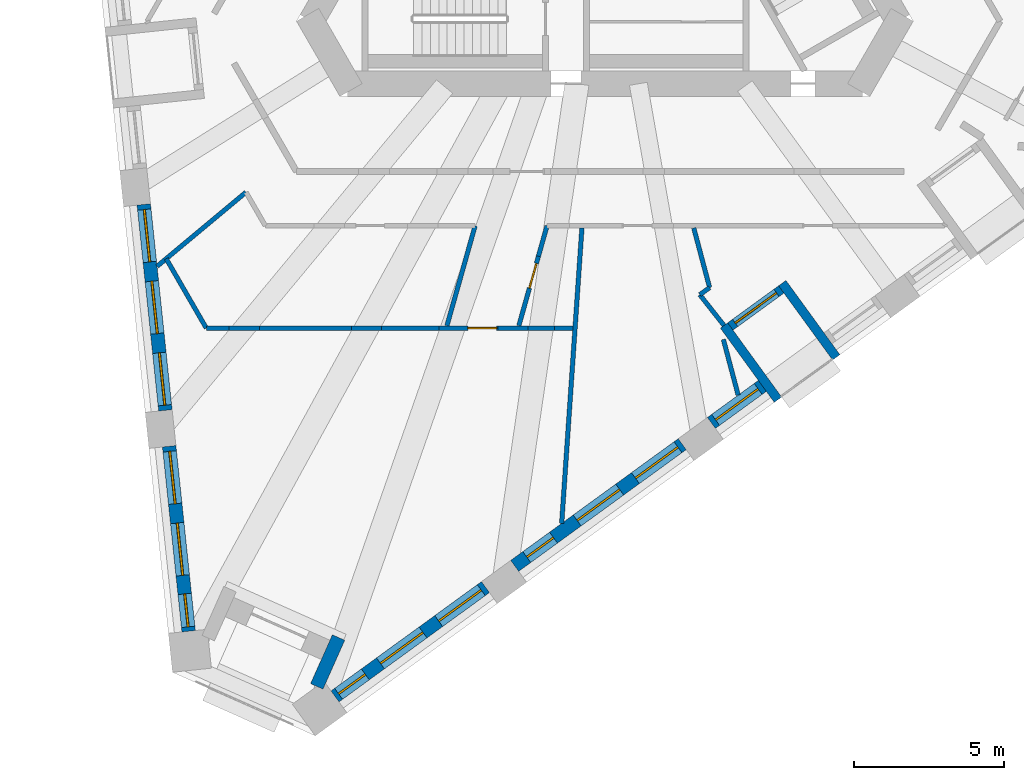
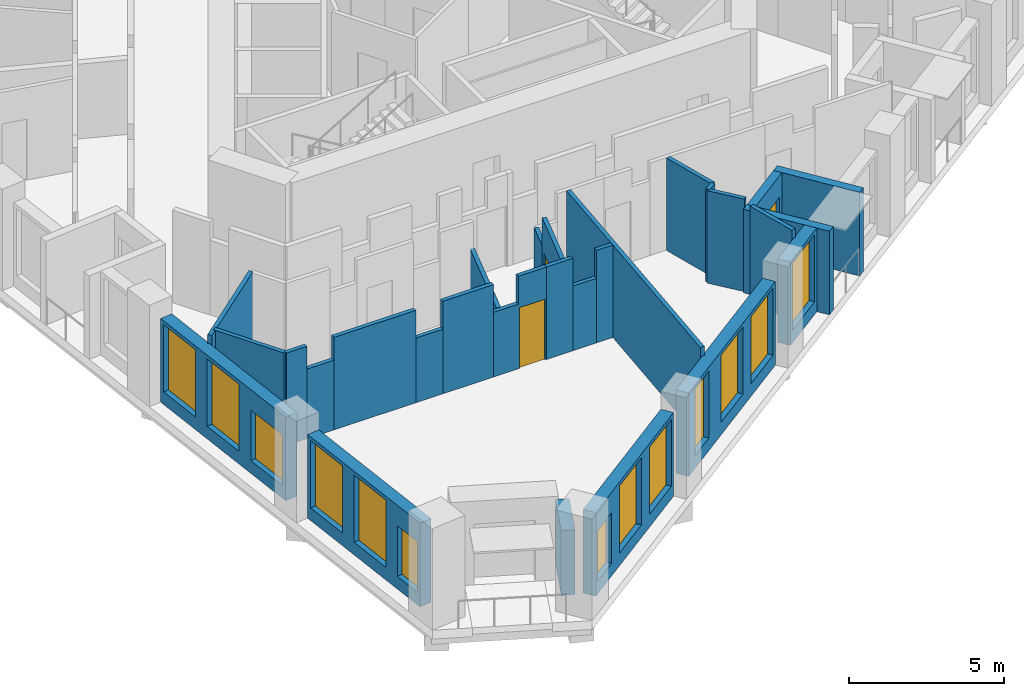
# One storey, part 2 of 14: 28 walls, 13 windows, 3 doors, 16 openings.
"""IFC4 building model written with IfcOpenShell, lengths in metres."""

from ifc_helpers import new_model, si_unit, direction, frame, frame_2d, origin, place, context, subcontext, project, spatial, polyline, rectangle, outline, extrude, material, layer, layer_set, type_object, element, fill, save


model = new_model("IFC4")

# Units and contexts
model_context = context("Model", 3, precision=1e-05, world=origin(), true_north=direction((0.0, 1.0)))
body_context = subcontext(model_context, "Body", "Model", "MODEL_VIEW")
ifc_project = project(units=[si_unit("LENGTHUNIT", "METRE"), si_unit("AREAUNIT", "SQUARE_METRE"), si_unit("VOLUMEUNIT", "CUBIC_METRE"), si_unit("PLANEANGLEUNIT", "RADIAN"), si_unit("MASSUNIT", "GRAM", prefix="KILO")], contexts=[model_context])

# Site, building, storey
site_placement = place(None, origin())
site = spatial("IfcSite", under=ifc_project, at=site_placement, CompositionType="ELEMENT")
building_placement = place(site_placement, origin())
building = spatial("IfcBuilding", under=site, at=building_placement, Name="Tramontana Tower", CompositionType="ELEMENT")
storey_placement = place(building_placement, frame((0.0, 0.0, 186.800048828125)))
storey = spatial("IfcBuildingStorey", under=building, at=storey_placement, Name="L43", CompositionType="ELEMENT", Elevation=186.800048828125)

# Wall, openings, windows
ifc_material_1 = material(Name="Precast concrete 60 MPa", Category="concrete")
ifc_layer_1 = layer(ifc_material_1, 0.449951171875)
ifc_layer_set_1 = layer_set([ifc_layer_1], Name="Precast concrete 60 MPa, 450 mm")
wall_type_1 = type_object("IfcWallType", Name="EW1 Stone-faced precast wall 450", PredefinedType="SOLIDWALL", material=ifc_layer_set_1)
wall_1_placement = place(storey_placement, frame((-15.327880859375, -10.341796875, 0.0), z_axis=(0.0, 0.0, 1.0), x_axis=(0.104531531326, -0.994521572898, 0.0)))
wall_1 = element("IfcWall", 1, at=wall_1_placement, inside=storey, type_object=wall_type_1, Name="External wall L43 face 0 bay 5", PredefinedType="SOLIDWALL", context=body_context, shape_type="SweptSolid", body=[
    extrude(rectangle(XDim=6.8828125, YDim=0.449951171875, at=frame_2d((3.44140625, 0.0))), origin(), (0.0, 0.0, 1.0), 3.300048828125),
])
opening_1_placement = place(wall_1_placement, frame((0.172119140625, 0.0, 0.5)))
opening_1 = element("IfcOpeningElement", 2, at=opening_1_placement, cuts=wall_1, Name="Opening M2", PredefinedType="OPENING", context=body_context, shape_type="SweptSolid", body=[
    extrude(rectangle(XDim=1.75, YDim=2.64990234375, at=frame_2d((0.875, 1.324951171875))), frame((0.0, 0.23486328125, 0.0), z_axis=(0.0, -1.0, 0.0), x_axis=(1.0, 0.0, 0.0)), (0.0, 0.0, 1.0), 0.469970703125),
])
opening_2_placement = place(wall_1_placement, frame((2.56640625, 0.0, 0.5)))
opening_2 = element("IfcOpeningElement", 3, at=opening_2_placement, cuts=wall_1, Name="Opening M2", PredefinedType="OPENING", context=body_context, shape_type="SweptSolid", body=[
    extrude(rectangle(XDim=1.75, YDim=2.64990234375, at=frame_2d((0.875, 1.324951171875))), frame((0.0, 0.23486328125, 0.0), z_axis=(0.0, -1.0, 0.0), x_axis=(1.0, 0.0, 0.0)), (0.0, 0.0, 1.0), 0.469970703125),
])
opening_3_placement = place(wall_1_placement, frame((4.960693359375, 0.0, 0.5)))
opening_3 = element("IfcOpeningElement", 4, at=opening_3_placement, cuts=wall_1, Name="Opening M2L", PredefinedType="OPENING", context=body_context, shape_type="SweptSolid", body=[
    extrude(rectangle(XDim=1.75, YDim=2.0, at=frame_2d((0.875, 1.0))), frame((0.0, 0.23486328125, 0.0), z_axis=(0.0, -1.0, 0.0), x_axis=(1.0, 0.0, 0.0)), (0.0, 0.0, 1.0), 0.469970703125),
])
ifc_material_2 = material(Name="Aluminum frame, double glazing unit", Category="aluminium")
window_type_1 = type_object("IfcWindowType", Name="M2 Window 1.75 x 2.65", PartitioningType="SINGLE_PANEL", PredefinedType="WINDOW", material=ifc_material_2)
window_1_placement = place(opening_1_placement, origin())
window_1 = element("IfcWindow", 5, at=window_1_placement, inside=storey, type_object=window_type_1, Name="Window M2 L43 face 0 module 13", OverallHeight=2.64990234375, OverallWidth=1.75, PartitioningType="SINGLE_PANEL", PredefinedType="WINDOW", context=body_context, shape_type="SweptSolid", body=[
    extrude(rectangle(XDim=1.75, YDim=2.64990234375, at=frame_2d((0.875, 1.324951171875))), frame((0.0, 0.030029296875, 0.0), z_axis=(0.0, -1.0, 0.0), x_axis=(1.0, 0.0, 0.0)), (0.0, 0.0, 1.0), 0.06005859375),
])
fill(opening_1, window_1)
window_2_placement = place(opening_2_placement, origin())
window_2 = element("IfcWindow", 6, at=window_2_placement, inside=storey, type_object=window_type_1, Name="Window M2 L43 face 0 module 14", OverallHeight=2.64990234375, OverallWidth=1.75, PartitioningType="SINGLE_PANEL", PredefinedType="WINDOW", context=body_context, shape_type="SweptSolid", body=[
    extrude(rectangle(XDim=1.75, YDim=2.64990234375, at=frame_2d((0.875, 1.324951171875))), frame((0.0, 0.030029296875, 0.0), z_axis=(0.0, -1.0, 0.0), x_axis=(1.0, 0.0, 0.0)), (0.0, 0.0, 1.0), 0.06005859375),
])
fill(opening_2, window_2)
ifc_material_3 = material(Name="Aluminum frame, double glazing unit", Category="aluminium")
window_type_2 = type_object("IfcWindowType", Name="M2L Window 1.75 x 2", PartitioningType="SINGLE_PANEL", PredefinedType="WINDOW", material=ifc_material_3)
window_3_placement = place(opening_3_placement, origin())
window_3 = element("IfcWindow", 7, at=window_3_placement, inside=storey, type_object=window_type_2, Name="Window M2L L43 face 0 module 15", OverallHeight=2.0, OverallWidth=1.75, PartitioningType="SINGLE_PANEL", PredefinedType="WINDOW", context=body_context, shape_type="SweptSolid", body=[
    extrude(rectangle(XDim=1.75, YDim=2.0, at=frame_2d((0.875, 1.0))), frame((0.0, 0.030029296875, 0.0), z_axis=(0.0, -1.0, 0.0), x_axis=(1.0, 0.0, 0.0)), (0.0, 0.0, 1.0), 0.06005859375),
])
fill(opening_3, window_3)

wall_2_placement = place(storey_placement, frame((-14.483154296875, -18.38037109375, 0.0), z_axis=(0.0, 0.0, 1.0), x_axis=(0.104557348575, -0.994518858976, 0.0)))
wall_2 = element("IfcWall", 8, at=wall_2_placement, inside=storey, type_object=wall_type_1, Name="External wall L43 face 0 bay 6", PredefinedType="SOLIDWALL", context=body_context, shape_type="SweptSolid", body=[
    extrude(rectangle(XDim=6.18310546875, YDim=0.449951171875, at=frame_2d((3.091552734375, 0.0))), origin(), (0.0, 0.0, 1.0), 3.300048828125),
])
opening_4_placement = place(wall_2_placement, frame((0.172119140625, 0.0, 0.5)))
opening_4 = element("IfcOpeningElement", 9, at=opening_4_placement, cuts=wall_2, Name="Opening M2", PredefinedType="OPENING", context=body_context, shape_type="SweptSolid", body=[
    extrude(rectangle(XDim=1.75, YDim=2.64990234375, at=frame_2d((0.875, 1.324951171875))), frame((0.0, 0.23486328125, 0.0), z_axis=(0.0, -1.0, 0.0), x_axis=(1.0, 0.0, 0.0)), (0.0, 0.0, 1.0), 0.469970703125),
])
opening_5_placement = place(wall_2_placement, frame((2.56640625, 0.0, 0.5)))
opening_5 = element("IfcOpeningElement", 10, at=opening_5_placement, cuts=wall_2, Name="Opening M2", PredefinedType="OPENING", context=body_context, shape_type="SweptSolid", body=[
    extrude(rectangle(XDim=1.75, YDim=2.64990234375, at=frame_2d((0.875, 1.324951171875))), frame((0.0, 0.23486328125, 0.0), z_axis=(0.0, -1.0, 0.0), x_axis=(1.0, 0.0, 0.0)), (0.0, 0.0, 1.0), 0.469970703125),
])
opening_6_placement = place(wall_2_placement, frame((4.935791015625, 0.0, 0.5)))
opening_6 = element("IfcOpeningElement", 11, at=opening_6_placement, cuts=wall_2, Name="Opening N2L", PredefinedType="OPENING", context=body_context, shape_type="SweptSolid", body=[
    extrude(rectangle(XDim=1.10009765625, YDim=2.0, at=frame_2d((0.550048828125, 1.0))), frame((0.0, 0.23486328125, 0.0), z_axis=(0.0, -1.0, 0.0), x_axis=(1.0, 0.0, 0.0)), (0.0, 0.0, 1.0), 0.469970703125),
])
window_4_placement = place(opening_4_placement, origin())
window_4 = element("IfcWindow", 12, at=window_4_placement, inside=storey, type_object=window_type_1, Name="Window M2 L43 face 0 module 16", OverallHeight=2.64990234375, OverallWidth=1.75, PartitioningType="SINGLE_PANEL", PredefinedType="WINDOW", context=body_context, shape_type="SweptSolid", body=[
    extrude(rectangle(XDim=1.75, YDim=2.64990234375, at=frame_2d((0.875, 1.324951171875))), frame((0.0, 0.030029296875, 0.0), z_axis=(0.0, -1.0, 0.0), x_axis=(1.0, 0.0, 0.0)), (0.0, 0.0, 1.0), 0.06005859375),
])
fill(opening_4, window_4)
window_5_placement = place(opening_5_placement, origin())
window_5 = element("IfcWindow", 13, at=window_5_placement, inside=storey, type_object=window_type_1, Name="Window M2 L43 face 0 module 17", OverallHeight=2.64990234375, OverallWidth=1.75, PartitioningType="SINGLE_PANEL", PredefinedType="WINDOW", context=body_context, shape_type="SweptSolid", body=[
    extrude(rectangle(XDim=1.75, YDim=2.64990234375, at=frame_2d((0.875, 1.324951171875))), frame((0.0, 0.030029296875, 0.0), z_axis=(0.0, -1.0, 0.0), x_axis=(1.0, 0.0, 0.0)), (0.0, 0.0, 1.0), 0.06005859375),
])
fill(opening_5, window_5)
ifc_material_4 = material(Name="Aluminum frame, double glazing unit", Category="aluminium")
window_type_3 = type_object("IfcWindowType", Name="N2L Window 1.1 x 2", PartitioningType="SINGLE_PANEL", PredefinedType="WINDOW", material=ifc_material_4)
window_6_placement = place(opening_6_placement, origin())
window_6 = element("IfcWindow", 14, at=window_6_placement, inside=storey, type_object=window_type_3, Name="Window N2L L43 face 0 module 18", OverallHeight=2.0, OverallWidth=1.10009765625, PartitioningType="SINGLE_PANEL", PredefinedType="WINDOW", context=body_context, shape_type="SweptSolid", body=[
    extrude(rectangle(XDim=1.10009765625, YDim=2.0, at=frame_2d((0.550048828125, 1.0))), frame((0.0, 0.030029296875, 0.0), z_axis=(0.0, -1.0, 0.0), x_axis=(1.0, 0.0, 0.0)), (0.0, 0.0, 1.0), 0.06005859375),
])
fill(opening_6, window_6)

wall_3_placement = place(storey_placement, frame((-8.97021484375, -26.696044921875, 0.0), z_axis=(0.0, 0.0, 1.0), x_axis=(0.809024567544, 0.587774828578, 0.0)))
wall_3 = element("IfcWall", 15, at=wall_3_placement, inside=storey, type_object=wall_type_1, Name="External wall L43 face 1 bay 1", PredefinedType="SOLIDWALL", context=body_context, shape_type="SweptSolid", body=[
    extrude(rectangle(XDim=6.1826171875, YDim=0.449951171875, at=frame_2d((3.09130859375, 0.0))), origin(), (0.0, 0.0, 1.0), 3.300048828125),
])
opening_7_placement = place(wall_3_placement, frame((0.147216796875, 0.0, 0.5)))
opening_7 = element("IfcOpeningElement", 16, at=opening_7_placement, cuts=wall_3, Name="Opening N2L", PredefinedType="OPENING", context=body_context, shape_type="SweptSolid", body=[
    extrude(rectangle(XDim=1.10009765625, YDim=2.0, at=frame_2d((0.550048828125, 1.0))), frame((0.0, 0.23486328125, 0.0), z_axis=(0.0, -1.0, 0.0), x_axis=(1.0, 0.0, 0.0)), (0.0, 0.0, 1.0), 0.469970703125),
])
opening_8_placement = place(wall_3_placement, frame((1.866455078125, 0.0, 0.5)))
opening_8 = element("IfcOpeningElement", 17, at=opening_8_placement, cuts=wall_3, Name="Opening M2", PredefinedType="OPENING", context=body_context, shape_type="SweptSolid", body=[
    extrude(rectangle(XDim=1.75, YDim=2.64990234375, at=frame_2d((0.875, 1.324951171875))), frame((0.0, 0.23486328125, 0.0), z_axis=(0.0, -1.0, 0.0), x_axis=(1.0, 0.0, 0.0)), (0.0, 0.0, 1.0), 0.469970703125),
])
opening_9_placement = place(wall_3_placement, frame((4.2607421875, 0.0, 0.5)))
opening_9 = element("IfcOpeningElement", 18, at=opening_9_placement, cuts=wall_3, Name="Opening M2", PredefinedType="OPENING", context=body_context, shape_type="SweptSolid", body=[
    extrude(rectangle(XDim=1.75, YDim=2.64990234375, at=frame_2d((0.875, 1.324951171875))), frame((0.0, 0.23486328125, 0.0), z_axis=(0.0, -1.0, 0.0), x_axis=(1.0, 0.0, 0.0)), (0.0, 0.0, 1.0), 0.469970703125),
])
window_7_placement = place(opening_8_placement, origin())
window_7 = element("IfcWindow", 19, at=window_7_placement, inside=storey, type_object=window_type_1, Name="Window M2 L43 face 1 module 2", OverallHeight=2.64990234375, OverallWidth=1.75, PartitioningType="SINGLE_PANEL", PredefinedType="WINDOW", context=body_context, shape_type="SweptSolid", body=[
    extrude(rectangle(XDim=1.75, YDim=2.64990234375, at=frame_2d((0.875, 1.324951171875))), frame((0.0, 0.030029296875, 0.0), z_axis=(0.0, -1.0, 0.0), x_axis=(1.0, 0.0, 0.0)), (0.0, 0.0, 1.0), 0.06005859375),
])
fill(opening_8, window_7)
window_8_placement = place(opening_9_placement, origin())
window_8 = element("IfcWindow", 20, at=window_8_placement, inside=storey, type_object=window_type_1, Name="Window M2 L43 face 1 module 3", OverallHeight=2.64990234375, OverallWidth=1.75, PartitioningType="SINGLE_PANEL", PredefinedType="WINDOW", context=body_context, shape_type="SweptSolid", body=[
    extrude(rectangle(XDim=1.75, YDim=2.64990234375, at=frame_2d((0.875, 1.324951171875))), frame((0.0, 0.030029296875, 0.0), z_axis=(0.0, -1.0, 0.0), x_axis=(1.0, 0.0, 0.0)), (0.0, 0.0, 1.0), 0.06005859375),
])
fill(opening_9, window_8)
window_9_placement = place(opening_7_placement, origin())
window_9 = element("IfcWindow", 21, at=window_9_placement, inside=storey, type_object=window_type_3, Name="Window N2L L43 face 1 module 1", OverallHeight=2.0, OverallWidth=1.10009765625, PartitioningType="SINGLE_PANEL", PredefinedType="WINDOW", context=body_context, shape_type="SweptSolid", body=[
    extrude(rectangle(XDim=1.10009765625, YDim=2.0, at=frame_2d((0.550048828125, 1.0))), frame((0.0, 0.030029296875, 0.0), z_axis=(0.0, -1.0, 0.0), x_axis=(1.0, 0.0, 0.0)), (0.0, 0.0, 1.0), 0.06005859375),
])
fill(opening_7, window_9)

wall_4_placement = place(storey_placement, frame((-2.997314453125, -22.3564453125, 0.0), z_axis=(0.0, 0.0, 1.0), x_axis=(0.809016690404, 0.587785670672, 0.0)))
wall_4 = element("IfcWall", 22, at=wall_4_placement, inside=storey, type_object=wall_type_1, Name="External wall L43 face 1 bay 2", PredefinedType="SOLIDWALL", context=body_context, shape_type="SweptSolid", body=[
    extrude(rectangle(XDim=6.8828125, YDim=0.449951171875, at=frame_2d((3.44140625, 0.0))), origin(), (0.0, 0.0, 1.0), 3.300048828125),
])
opening_10_placement = place(wall_4_placement, frame((0.4970703125, 0.0, 0.5)))
opening_10 = element("IfcOpeningElement", 23, at=opening_10_placement, cuts=wall_4, Name="Opening N2", PredefinedType="OPENING", context=body_context, shape_type="SweptSolid", body=[
    extrude(rectangle(XDim=1.10009765625, YDim=2.64990234375, at=frame_2d((0.550048828125, 1.324951171875))), frame((0.0, 0.23486328125, 0.0), z_axis=(0.0, -1.0, 0.0), x_axis=(1.0, 0.0, 0.0)), (0.0, 0.0, 1.0), 0.469970703125),
])
opening_11_placement = place(wall_4_placement, frame((2.56640625, 0.0, 0.5)))
opening_11 = element("IfcOpeningElement", 24, at=opening_11_placement, cuts=wall_4, Name="Opening M2", PredefinedType="OPENING", context=body_context, shape_type="SweptSolid", body=[
    extrude(rectangle(XDim=1.75, YDim=2.64990234375, at=frame_2d((0.875, 1.324951171875))), frame((0.0, 0.23486328125, 0.0), z_axis=(0.0, -1.0, 0.0), x_axis=(1.0, 0.0, 0.0)), (0.0, 0.0, 1.0), 0.469970703125),
])
opening_12_placement = place(wall_4_placement, frame((4.960693359375, 0.0, 0.5)))
opening_12 = element("IfcOpeningElement", 25, at=opening_12_placement, cuts=wall_4, Name="Opening M2", PredefinedType="OPENING", context=body_context, shape_type="SweptSolid", body=[
    extrude(rectangle(XDim=1.75, YDim=2.64990234375, at=frame_2d((0.875, 1.324951171875))), frame((0.0, 0.23486328125, 0.0), z_axis=(0.0, -1.0, 0.0), x_axis=(1.0, 0.0, 0.0)), (0.0, 0.0, 1.0), 0.469970703125),
])
window_10_placement = place(opening_11_placement, origin())
window_10 = element("IfcWindow", 26, at=window_10_placement, inside=storey, type_object=window_type_1, Name="Window M2 L43 face 1 module 5", OverallHeight=2.64990234375, OverallWidth=1.75, PartitioningType="SINGLE_PANEL", PredefinedType="WINDOW", context=body_context, shape_type="SweptSolid", body=[
    extrude(rectangle(XDim=1.75, YDim=2.64990234375, at=frame_2d((0.875, 1.324951171875))), frame((0.0, 0.030029296875, 0.0), z_axis=(0.0, -1.0, 0.0), x_axis=(1.0, 0.0, 0.0)), (0.0, 0.0, 1.0), 0.06005859375),
])
fill(opening_11, window_10)
window_11_placement = place(opening_12_placement, origin())
window_11 = element("IfcWindow", 27, at=window_11_placement, inside=storey, type_object=window_type_1, Name="Window M2 L43 face 1 module 6", OverallHeight=2.64990234375, OverallWidth=1.75, PartitioningType="SINGLE_PANEL", PredefinedType="WINDOW", context=body_context, shape_type="SweptSolid", body=[
    extrude(rectangle(XDim=1.75, YDim=2.64990234375, at=frame_2d((0.875, 1.324951171875))), frame((0.0, 0.030029296875, 0.0), z_axis=(0.0, -1.0, 0.0), x_axis=(1.0, 0.0, 0.0)), (0.0, 0.0, 1.0), 0.06005859375),
])
fill(opening_12, window_11)
ifc_material_5 = material(Name="Aluminum frame, double glazing unit", Category="aluminium")
window_type_4 = type_object("IfcWindowType", Name="N2 Window 1.1 x 2.65", PartitioningType="SINGLE_PANEL", PredefinedType="WINDOW", material=ifc_material_5)
window_12_placement = place(opening_10_placement, origin())
window_12 = element("IfcWindow", 28, at=window_12_placement, inside=storey, type_object=window_type_4, Name="Window N2 L43 face 1 module 4", OverallHeight=2.64990234375, OverallWidth=1.10009765625, PartitioningType="SINGLE_PANEL", PredefinedType="WINDOW", context=body_context, shape_type="SweptSolid", body=[
    extrude(rectangle(XDim=1.10009765625, YDim=2.64990234375, at=frame_2d((0.550048828125, 1.324951171875))), frame((0.0, 0.030029296875, 0.0), z_axis=(0.0, -1.0, 0.0), x_axis=(1.0, 0.0, 0.0)), (0.0, 0.0, 1.0), 0.06005859375),
])
fill(opening_10, window_12)

# Wall, opening, window
wall_5_placement = place(storey_placement, frame((3.541748046875, -17.60546875, 0.0), z_axis=(0.0, 0.0, 1.0), x_axis=(0.809028366311, 0.587769599847, 0.0)))
wall_5 = element("IfcWall", 29, at=wall_5_placement, inside=storey, type_object=wall_type_1, Name="External wall L43 face 1 bay 3", PredefinedType="SOLIDWALL", context=body_context, shape_type="SweptSolid", body=[
    extrude(rectangle(XDim=2.09423828125, YDim=0.449951171875, at=frame_2d((1.047119140625, 0.0))), origin(), (0.0, 0.0, 1.0), 3.300048828125),
])
opening_13_placement = place(wall_5_placement, frame((0.172119140625, 0.0, 0.5)))
opening_13 = element("IfcOpeningElement", 30, at=opening_13_placement, cuts=wall_5, Name="Opening M2", PredefinedType="OPENING", context=body_context, shape_type="SweptSolid", body=[
    extrude(rectangle(XDim=1.75, YDim=2.64990234375, at=frame_2d((0.875, 1.324951171875))), frame((0.0, 0.23486328125, 0.0), z_axis=(0.0, -1.0, 0.0), x_axis=(1.0, 0.0, 0.0)), (0.0, 0.0, 1.0), 0.469970703125),
])
window_13_placement = place(opening_13_placement, origin())
window_13 = element("IfcWindow", 31, at=window_13_placement, inside=storey, type_object=window_type_1, Name="Window M2 L43 face 1 module 7", OverallHeight=2.64990234375, OverallWidth=1.75, PartitioningType="SINGLE_PANEL", PredefinedType="WINDOW", context=body_context, shape_type="SweptSolid", body=[
    extrude(rectangle(XDim=1.75, YDim=2.64990234375, at=frame_2d((0.875, 1.324951171875))), frame((0.0, 0.030029296875, 0.0), z_axis=(0.0, -1.0, 0.0), x_axis=(1.0, 0.0, 0.0)), (0.0, 0.0, 1.0), 0.06005859375),
])
fill(opening_13, window_13)

# Wall
wall_6_placement = place(storey_placement, frame((-9.575927734375, -26.363525390625, 0.0), z_axis=(0.0, 0.0, 1.0), x_axis=(0.406749543613, 0.913539713844, 0.0)))
element("IfcWall", 32, at=wall_6_placement, inside=storey, type_object=wall_type_1, Name="Corner loggia side wall L43 K41l", PredefinedType="SOLIDWALL", context=body_context, shape_type="SweptSolid", body=[
    extrude(rectangle(XDim=1.779052734375, YDim=0.449951171875, at=frame_2d((0.8896484375, 0.0))), origin(), (0.0, 0.0, 1.0), 2.550048828125),
])

# Wall, opening, door
ifc_material_6 = material(Name="Precast concrete 60 MPa", Category="concrete")
ifc_layer_2 = layer(ifc_material_6, 0.300048828125)
ifc_layer_set_2 = layer_set([ifc_layer_2], Name="LW1 Stone-faced loggia wall 300")
wall_type_2 = type_object("IfcWallType", Name="LW1 Stone-faced loggia wall 300", PredefinedType="SOLIDWALL", material=ifc_layer_set_2)
wall_7_placement = place(storey_placement, frame((4.1708984375, -14.398193359375, 0.0), z_axis=(0.0, 0.0, 1.0), x_axis=(0.809028366311, 0.587769599847, 0.0)))
wall_7 = element("IfcWall", 33, at=wall_7_placement, inside=storey, type_object=wall_type_2, Name="Loggia wall L43 G4S1.7", PredefinedType="SOLIDWALL", context=body_context, shape_type="SweptSolid", body=[
    extrude(rectangle(XDim=2.09423828125, YDim=0.300048828125, at=frame_2d((1.047119140625, 0.0))), origin(), (0.0, 0.0, 1.0), 3.300048828125),
])
opening_14_placement = place(wall_7_placement, frame((0.197265625, 0.0, 0.0)))
opening_14 = element("IfcOpeningElement", 34, at=opening_14_placement, cuts=wall_7, Name="Opening BD-4S1-07", PredefinedType="OPENING", context=body_context, shape_type="SweptSolid", body=[
    extrude(rectangle(XDim=1.699951171875, YDim=2.449951171875, at=frame_2d((0.85009765625, 1.22509765625))), frame((0.0, 0.159912109375, 0.0), z_axis=(0.0, -1.0, 0.0), x_axis=(1.0, 0.0, 0.0)), (0.0, 0.0, 1.0), 0.320068359375),
])
ifc_material_7 = material(Name="Aluminum frame, double glazing unit", Category="aluminium")
door_type_1 = type_object("IfcDoorType", Name="BD2 Sliding door 1.7 x 2.45", OperationType="SLIDING_TO_LEFT", PredefinedType="DOOR", material=ifc_material_7)
door_1_placement = place(opening_14_placement, origin())
door_1 = element("IfcDoor", 35, at=door_1_placement, inside=storey, type_object=door_type_1, Name="Loggia door L43 G4S1.7", OperationType="SLIDING_TO_LEFT", OverallHeight=2.449951171875, OverallWidth=1.699951171875, PredefinedType="DOOR", context=body_context, shape_type="SweptSolid", body=[
    extrude(rectangle(XDim=1.699951171875, YDim=2.449951171875, at=frame_2d((0.85009765625, 1.22509765625))), frame((0.0, 0.02490234375, 0.0), z_axis=(0.0, -1.0, 0.0), x_axis=(1.0, 0.0, 0.0)), (0.0, 0.0, 1.0), 0.050048828125),
])
fill(opening_14, door_1)

# Walls
for number, where, z_axis, x_axis, name in (
    (36, (5.754150390625, -16.83251953125, 0.0), (0.0, 0.0, 1.0), (-0.587776590479, 0.80902328748, 0.0), "Loggia return L43 G4S1.7a"),
    (37, (7.691162109375, -15.425048828125, 0.0), (0.0, 0.0, 1.0), (-0.587776590479, 0.80902328748, 0.0), "Loggia return L43 G4S1.7b"),
):
    element("IfcWall", number, at=place(storey_placement, frame(where, z_axis=z_axis, x_axis=x_axis)), inside=storey, type_object=wall_type_2, Name=name, PredefinedType="SOLIDWALL", context=body_context, shape_type="SweptSolid", body=[
        extrude(rectangle(XDim=3.050048828125, YDim=0.300048828125, at=frame_2d((1.52490234375, 0.0))), origin(), (0.0, 0.0, 1.0), 3.300048828125),
    ])
ifc_material_8 = material(Name="Gypsum board partition")
ifc_layer_3 = layer(ifc_material_8, 0.14990234375)
ifc_layer_set_3 = layer_set([ifc_layer_3], Name="PARTITION 150")
wall_type_3 = type_object("IfcWallType", Name="PARTITION 150", PredefinedType="PARTITIONING", material=ifc_layer_set_3)
wall_8_placement = place(storey_placement, frame((-13.250244140625, -14.449951171875, 0.0), z_axis=(0.0, 0.0, 1.0), x_axis=(-0.500019109324, 0.86601437073, 0.0)))
element("IfcWall", 38, at=wall_8_placement, inside=storey, type_object=wall_type_3, Name="Wall v42-pw06", PredefinedType="PARTITIONING", context=body_context, shape_type="SweptSolid", body=[
    extrude(rectangle(XDim=2.65966796875, YDim=0.14990234375, at=frame_2d((1.329833984375, 0.0))), origin(), (0.0, 0.0, 1.0), 3.64990234375),
])
wall_9_placement = place(storey_placement, frame((-11.932861328125, -9.938720703125, 0.0), z_axis=(0.0, 0.0, 1.0), x_axis=(-0.768294174323, -0.640096915866, 0.0)))
element("IfcWall", 39, at=wall_9_placement, inside=storey, type_object=wall_type_3, Name="Wall v42-pw07", PredefinedType="PARTITIONING", context=body_context, shape_type="SweptSolid", body=[
    extrude(rectangle(XDim=3.843017578125, YDim=0.14990234375, at=frame_2d((1.92138671875, 0.0))), origin(), (0.0, 0.0, 1.0), 3.64990234375),
])
wall_10_placement = place(storey_placement, frame((-5.24951171875, -14.375, 0.0), z_axis=(0.0, 0.0, 1.0), x_axis=(0.271458484659, 0.962450149933, 0.0)))
element("IfcWall", 40, at=wall_10_placement, inside=storey, type_object=wall_type_3, Name="Wall v42-pw15-0", PredefinedType="PARTITIONING", context=body_context, shape_type="SweptSolid", body=[
    extrude(rectangle(XDim=3.450927734375, YDim=0.14990234375, at=frame_2d((1.7255859375, 0.0))), origin(), (0.0, 0.0, 1.0), 2.550048828125),
])
wall_11_placement = place(storey_placement, frame((-1.92236328125, -11.05224609375, 0.0), z_axis=(0.0, 0.0, 1.0), x_axis=(-0.271531823094, -0.962429461855, 0.0)))
element("IfcWall", 41, at=wall_11_placement, inside=storey, type_object=wall_type_3, Name="Wall v42-pw19-0", PredefinedType="PARTITIONING", context=body_context, shape_type="SweptSolid", body=[
    extrude(rectangle(XDim=1.052001953125, YDim=0.14990234375, at=frame_2d((0.52587890625, 0.0))), origin(), (0.0, 0.0, 1.0), 2.550048828125),
])

# Wall, opening, door
wall_12_placement = place(storey_placement, frame((-2.2080078125, -12.064697265625, 0.0), z_axis=(0.0, 0.0, 1.0), x_axis=(-0.271455333638, -0.962451038671, 0.0)))
wall_12 = element("IfcWall", 42, at=wall_12_placement, inside=storey, type_object=wall_type_3, Name="Wall v42-pw19-1", PredefinedType="PARTITIONING", context=body_context, shape_type="SweptSolid", body=[
    extrude(rectangle(XDim=2.400390625, YDim=0.14990234375, at=frame_2d((1.2001953125, 0.0))), origin(), (0.0, 0.0, 1.0), 3.64990234375),
])
opening_15_placement = place(wall_12_placement, frame((0.2490234375, 0.0, 0.0)))
opening_15 = element("IfcOpeningElement", 43, at=opening_15_placement, cuts=wall_12, Name="Opening B4C-06", PredefinedType="OPENING", context=body_context, shape_type="SweptSolid", body=[
    extrude(rectangle(XDim=0.85009765625, YDim=2.39990234375, at=frame_2d((0.425048828125, 1.199951171875))), frame((0.0, 0.0849609375, 0.0), z_axis=(0.0, -1.0, 0.0), x_axis=(1.0, 0.0, 0.0)), (0.0, 0.0, 1.0), 0.169921875),
])
ifc_material_9 = material(Name="Painted timber", Category="wood")
door_type_2 = type_object("IfcDoorType", Name="DOOR BATH 850", OperationType="SINGLE_SWING_LEFT", PredefinedType="DOOR", material=ifc_material_9)
door_2_placement = place(opening_15_placement, origin())
door_2 = element("IfcDoor", 44, at=door_2_placement, inside=storey, type_object=door_type_2, Name="Door B4C-06", OperationType="SINGLE_SWING_RIGHT", OverallHeight=2.39990234375, OverallWidth=0.85009765625, PredefinedType="DOOR", context=body_context, shape_type="SweptSolid", body=[
    extrude(rectangle(XDim=0.85009765625, YDim=2.39990234375, at=frame_2d((0.425048828125, 1.199951171875))), frame((0.0, 0.02490234375, 0.0), z_axis=(0.0, -1.0, 0.0), x_axis=(1.0, 0.0, 0.0)), (0.0, 0.0, 1.0), 0.050048828125),
])
fill(opening_15, door_2)

# Walls
wall_13_placement = place(storey_placement, frame((-1.0654296875, -14.449951171875, 0.0), z_axis=(0.0, 0.0, 1.0), x_axis=(-1.0, 0.0, 0.0)))
element("IfcWall", 45, at=wall_13_placement, inside=storey, type_object=wall_type_3, Name="Wall v42-pw20-0", PredefinedType="PARTITIONING", context=body_context, shape_type="SweptSolid", body=[
    extrude(rectangle(XDim=0.607421875, YDim=0.14990234375, at=frame_2d((0.3037109375, 0.0))), origin(), (0.0, 0.0, 1.0), 3.64990234375),
])
wall_14_placement = place(storey_placement, frame((-1.6728515625, -14.449951171875, 0.0), z_axis=(0.0, 0.0, 1.0), x_axis=(-1.0, 0.0, 0.0)))
element("IfcWall", 46, at=wall_14_placement, inside=storey, type_object=wall_type_3, Name="Wall v42-pw20-1", PredefinedType="PARTITIONING", context=body_context, shape_type="SweptSolid", body=[
    extrude(rectangle(XDim=0.88427734375, YDim=0.14990234375, at=frame_2d((0.442138671875, 0.0))), origin(), (0.0, 0.0, 1.0), 2.550048828125),
])
wall_15_placement = place(storey_placement, frame((-2.55712890625, -14.449951171875, 0.0), z_axis=(0.0, 0.0, 1.0), x_axis=(-1.0, 0.0, 0.0)))
element("IfcWall", 47, at=wall_15_placement, inside=storey, type_object=wall_type_3, Name="Wall v42-pw20-2", PredefinedType="PARTITIONING", context=body_context, shape_type="SweptSolid", body=[
    extrude(rectangle(XDim=0.9931640625, YDim=0.14990234375, at=frame_2d((0.49658203125, 0.0))), origin(), (0.0, 0.0, 1.0), 3.64990234375),
])

# Wall, opening, door
wall_16_placement = place(storey_placement, frame((-3.55029296875, -14.449951171875, 0.0), z_axis=(0.0, 0.0, 1.0), x_axis=(-1.0, 0.0, 0.0)))
wall_16 = element("IfcWall", 48, at=wall_16_placement, inside=storey, type_object=wall_type_3, Name="Wall v42-pw20-3", PredefinedType="PARTITIONING", context=body_context, shape_type="SweptSolid", body=[
    extrude(outline(polyline([(0.0, 0.0), (1.96923828125, 0.0), (1.96923828125, 2.550048828125), (1.042236328125, 2.550048828125), (1.042236328125, 3.64990234375), (0.0, 3.64990234375), (0.0, 0.0)])), frame((0.0, 0.074951171875, 0.0), z_axis=(0.0, -1.0, 0.0), x_axis=(1.0, 0.0, 0.0)), (0.0, 0.0, 1.0), 0.14990234375),
])
opening_16_placement = place(wall_16_placement, frame((0.050048828125, 0.0, 0.0)))
opening_16 = element("IfcOpeningElement", 49, at=opening_16_placement, cuts=wall_16, Name="Opening B4C-07", PredefinedType="OPENING", context=body_context, shape_type="SweptSolid", body=[
    extrude(rectangle(XDim=0.949951171875, YDim=2.39990234375, at=frame_2d((0.47509765625, 1.199951171875))), frame((0.0, 0.0849609375, 0.0), z_axis=(0.0, -1.0, 0.0), x_axis=(1.0, 0.0, 0.0)), (0.0, 0.0, 1.0), 0.169921875),
])
ifc_material_10 = material(Name="Painted timber", Category="wood")
door_type_3 = type_object("IfcDoorType", Name="DOOR ROOM 950", OperationType="SINGLE_SWING_LEFT", PredefinedType="DOOR", material=ifc_material_10)
door_3_placement = place(opening_16_placement, origin())
door_3 = element("IfcDoor", 50, at=door_3_placement, inside=storey, type_object=door_type_3, Name="Door B4C-07", OperationType="SINGLE_SWING_LEFT", OverallHeight=2.39990234375, OverallWidth=0.949951171875, PredefinedType="DOOR", context=body_context, shape_type="SweptSolid", body=[
    extrude(rectangle(XDim=0.949951171875, YDim=2.39990234375, at=frame_2d((0.47509765625, 1.199951171875))), frame((0.0, 0.02490234375, 0.0), z_axis=(0.0, -1.0, 0.0), x_axis=(1.0, 0.0, 0.0)), (0.0, 0.0, 1.0), 0.050048828125),
])
fill(opening_16, door_3)

# Walls
wall_17_placement = place(storey_placement, frame((-5.51953125, -14.449951171875, 0.0), z_axis=(0.0, 0.0, 1.0), x_axis=(-1.0, 0.0, 0.0)))
element("IfcWall", 51, at=wall_17_placement, inside=storey, type_object=wall_type_3, Name="Wall v42-pw20-4", PredefinedType="PARTITIONING", context=body_context, shape_type="SweptSolid", body=[
    extrude(rectangle(XDim=1.89794921875, YDim=0.14990234375, at=frame_2d((0.948974609375, 0.0))), origin(), (0.0, 0.0, 1.0), 3.64990234375),
])
wall_18_placement = place(storey_placement, frame((-7.41748046875, -14.449951171875, 0.0), z_axis=(0.0, 0.0, 1.0), x_axis=(-1.0, 0.0, 0.0)))
element("IfcWall", 52, at=wall_18_placement, inside=storey, type_object=wall_type_3, Name="Wall v42-pw20-5", PredefinedType="PARTITIONING", context=body_context, shape_type="SweptSolid", body=[
    extrude(rectangle(XDim=0.99755859375, YDim=0.14990234375, at=frame_2d((0.498779296875, 0.0))), origin(), (0.0, 0.0, 1.0), 2.550048828125),
])
wall_19_placement = place(storey_placement, frame((-8.4150390625, -14.449951171875, 0.0), z_axis=(0.0, 0.0, 1.0), x_axis=(-1.0, 0.0, 0.0)))
element("IfcWall", 53, at=wall_19_placement, inside=storey, type_object=wall_type_3, Name="Wall v42-pw20-6", PredefinedType="PARTITIONING", context=body_context, shape_type="SweptSolid", body=[
    extrude(rectangle(XDim=3.066650390625, YDim=0.14990234375, at=frame_2d((1.533203125, 0.0))), origin(), (0.0, 0.0, 1.0), 3.64990234375),
])
wall_20_placement = place(storey_placement, frame((-11.481689453125, -14.449951171875, 0.0), z_axis=(0.0, 0.0, 1.0), x_axis=(-1.0, 0.0, 0.0)))
element("IfcWall", 54, at=wall_20_placement, inside=storey, type_object=wall_type_3, Name="Wall v42-pw20-7", PredefinedType="PARTITIONING", context=body_context, shape_type="SweptSolid", body=[
    extrude(rectangle(XDim=1.0068359375, YDim=0.14990234375, at=frame_2d((0.50341796875, 0.0))), origin(), (0.0, 0.0, 1.0), 2.75),
])
wall_21_placement = place(storey_placement, frame((-12.488525390625, -14.449951171875, 0.0), z_axis=(0.0, 0.0, 1.0), x_axis=(-1.0, 0.0, 0.0)))
element("IfcWall", 55, at=wall_21_placement, inside=storey, type_object=wall_type_3, Name="Wall v42-pw20-8", PredefinedType="PARTITIONING", context=body_context, shape_type="SweptSolid", body=[
    extrude(rectangle(XDim=0.76171875, YDim=0.14990234375, at=frame_2d((0.380859375, 0.0))), origin(), (0.0, 0.0, 1.0), 3.64990234375),
])
wall_22_placement = place(storey_placement, frame((-0.762451171875, -11.125, 0.0), z_axis=(0.0, 0.0, 1.0), x_axis=(-0.068367890485, -0.997660178393, 0.0)))
element("IfcWall", 56, at=wall_22_placement, inside=storey, type_object=wall_type_3, Name="Wall v42-pw21", PredefinedType="PARTITIONING", context=body_context, shape_type="SweptSolid", body=[
    extrude(rectangle(XDim=9.841552734375, YDim=0.14990234375, at=frame_2d((4.9208984375, 0.0))), origin(), (0.0, 0.0, 1.0), 3.64990234375),
])
wall_23_placement = place(storey_placement, frame((2.955810546875, -11.125, 0.0), z_axis=(0.0, 0.0, 1.0), x_axis=(0.25680257944, -0.966463881991, 0.0)))
element("IfcWall", 57, at=wall_23_placement, inside=storey, type_object=wall_type_3, Name="Wall v42-pw22", PredefinedType="PARTITIONING", context=body_context, shape_type="SweptSolid", body=[
    extrude(rectangle(XDim=2.0498046875, YDim=0.14990234375, at=frame_2d((1.02490234375, 0.0))), origin(), (0.0, 0.0, 1.0), 3.64990234375),
])
wall_24_placement = place(storey_placement, frame((3.15771484375, -13.34423828125, 0.0), z_axis=(0.0, 0.0, 1.0), x_axis=(0.618626252518, -0.785685407587, 0.0)))
element("IfcWall", 58, at=wall_24_placement, inside=storey, type_object=wall_type_3, Name="Wall v42-pw23", PredefinedType="PARTITIONING", context=body_context, shape_type="SweptSolid", body=[
    extrude(rectangle(XDim=1.299072265625, YDim=0.14990234375, at=frame_2d((0.6494140625, 0.0))), origin(), (0.0, 0.0, 1.0), 3.64990234375),
])
wall_25_placement = place(storey_placement, frame((3.482177734375, -13.10595703125, 0.0), z_axis=(0.0, 0.0, 1.0), x_axis=(-0.809052344523, -0.587736593911, 0.0)))
element("IfcWall", 59, at=wall_25_placement, inside=storey, type_object=wall_type_3, Name="Wall v42-pw24", PredefinedType="PARTITIONING", context=body_context, shape_type="SweptSolid", body=[
    extrude(rectangle(XDim=0.400390625, YDim=0.14990234375, at=frame_2d((0.2001953125, 0.0))), origin(), (0.0, 0.0, 1.0), 3.64990234375),
])
wall_26_placement = place(storey_placement, frame((3.93994140625, -14.82861328125, 0.0), z_axis=(0.0, 0.0, 1.0), x_axis=(0.256718892864, -0.966486114772, 0.0)))
element("IfcWall", 60, at=wall_26_placement, inside=storey, type_object=wall_type_3, Name="Wall v42-pw27", PredefinedType="PARTITIONING", context=body_context, shape_type="SweptSolid", body=[
    extrude(rectangle(XDim=1.916259765625, YDim=0.14990234375, at=frame_2d((0.9580078125, 0.0))), origin(), (0.0, 0.0, 1.0), 3.64990234375),
])

save(model, "model.ifc")
